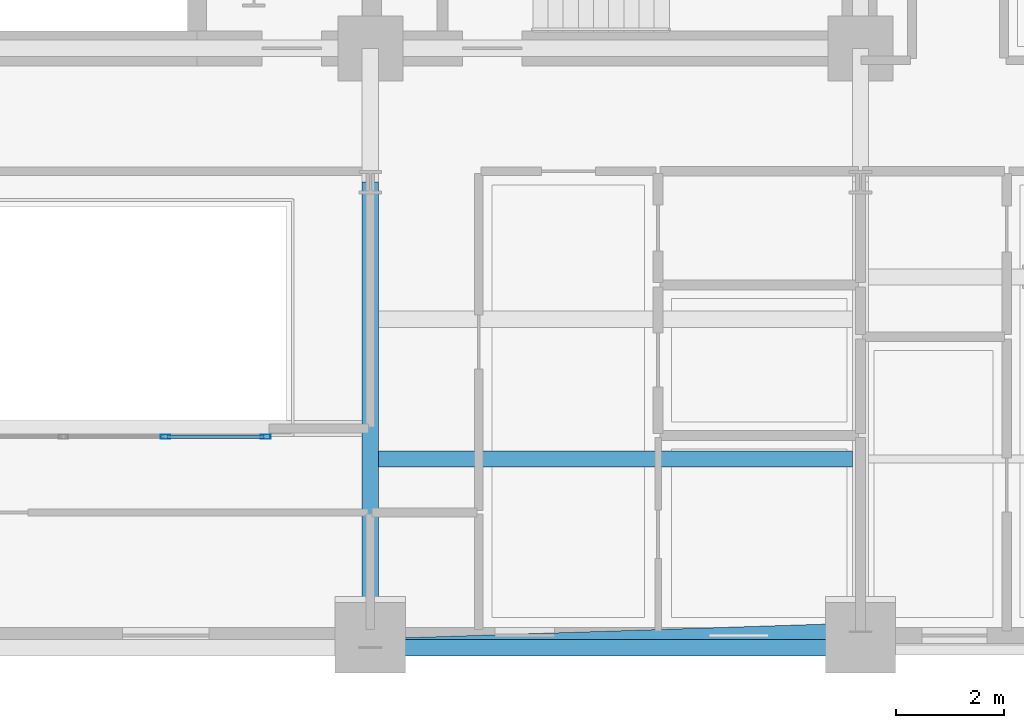
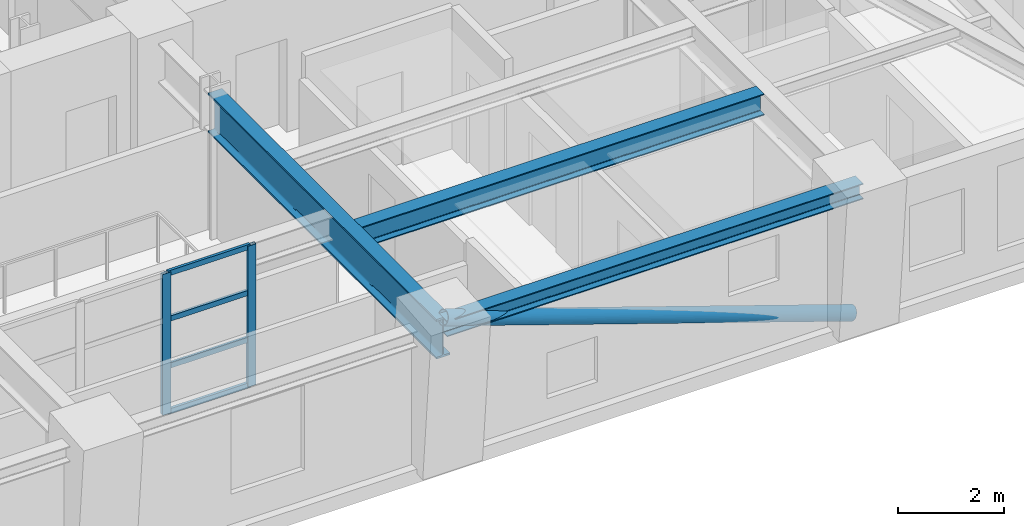
# One storey, part 5 of 16: 7 members, 3 beams, 1 element without a shape of its own.
"""IFC4 building model written with IfcOpenShell, lengths in metres."""

import ifcopenshell
import ifcopenshell.guid

model = None  # the IFC model being written
_history = None  # IfcOwnerHistory: only IFC2X3 demands one
_inside = {}  # id of a spatial element -> (the spatial element, [elements in it])
_under = {}  # id of a project, library or spatial element -> (it, [spatial elements below it])
_declared = {}  # id of a project -> (the project, [libraries it declares])
_typed = {}  # id of a type object -> (the type object, [elements of that type])
_made_of = {}  # id of a material, layer set ... -> (it, [elements and type objects made of it])


def new_model(schema):
    """Start an empty IFC model of exactly this schema.

    Asked for "IFC4X3", IfcOpenShell would pick the latest addendum, in which some entities
    have other attributes; the version numbers below select the first issue.
    IFC2X3 requires an IfcOwnerHistory on every rooted entity: one is made here for all.
    """
    global model, _history
    if schema == "IFC4X3":
        model = ifcopenshell.file(schema_version=(4, 3, 0, 0))
    else:
        model = ifcopenshell.file(schema=schema)
    _inside.clear()
    _under.clear()
    _declared.clear()
    _typed.clear()
    _made_of.clear()
    _history = None
    if model.schema == "IFC2X3":
        org = make("IfcOrganization", Name="unknown")
        user = make(
            "IfcPersonAndOrganization",
            ThePerson=make("IfcPerson", FamilyName="unknown"),
            TheOrganization=org,
        )
        app = make(
            "IfcApplication",
            ApplicationDeveloper=org,
            Version="unknown",
            ApplicationFullName="unknown",
            ApplicationIdentifier="unknown",
        )
        _history = make(
            "IfcOwnerHistory",
            OwningUser=user,
            OwningApplication=app,
            ChangeAction="ADDED",
            CreationDate=0,
        )
    return model


def make(cls, **values):
    """One entity of the class cls with the attributes given. An attribute that is None is left unset."""
    return model.create_entity(
        cls, **{name: value for name, value in values.items() if value is not None}
    )


def rooted(cls, **values):
    """An entity with a GlobalId (a new one), such as an element, a storey or a relation."""
    return make(cls, GlobalId=ifcopenshell.guid.new(), OwnerHistory=_history, **values)


def si_unit(unit_type, name, prefix=None):
    """IfcSIUnit, for example si_unit("LENGTHUNIT", "METRE", prefix="MILLI")."""
    return make("IfcSIUnit", UnitType=unit_type, Prefix=prefix, Name=name)


def assignment(units):
    """IfcUnitAssignment: the units of a project."""
    return None if units is None else make("IfcUnitAssignment", Units=units)


def point(xyz):
    """IfcCartesianPoint."""
    return None if xyz is None else make("IfcCartesianPoint", Coordinates=xyz)


def direction(xyz):
    """IfcDirection."""
    return None if xyz is None else make("IfcDirection", DirectionRatios=xyz)


def frame(location, z_axis=None, x_axis=None):
    """IfcAxis2Placement3D, a coordinate frame: its origin and axes. An axis left out is left unset."""
    return make(
        "IfcAxis2Placement3D",
        Location=point(location),
        Axis=direction(z_axis),
        RefDirection=direction(x_axis),
    )


def frame_2d(location, x_axis=None):
    """IfcAxis2Placement2D, a coordinate frame in the plane: its origin and x axis."""
    return make(
        "IfcAxis2Placement2D", Location=point(location), RefDirection=direction(x_axis)
    )


def origin():
    """The frame at (0, 0, 0) with its axes left unset."""
    return frame((0.0, 0.0, 0.0))


def origin_2d():
    """The frame at (0, 0) in the plane with its x axis left unset."""
    return frame_2d((0.0, 0.0))


def place(relative_to, where):
    """IfcLocalPlacement: puts the frame where relative to a parent placement (None: the world)."""
    return make(
        "IfcLocalPlacement", PlacementRelTo=relative_to, RelativePlacement=where
    )


def context(
    kind, dimensions, precision=None, world=None, true_north=None, identifier=None
):
    """IfcGeometricRepresentationContext, for example the 3D "Model" context."""
    return make(
        "IfcGeometricRepresentationContext",
        ContextIdentifier=identifier,
        ContextType=kind,
        CoordinateSpaceDimension=dimensions,
        Precision=precision,
        WorldCoordinateSystem=world,
        TrueNorth=true_north,
    )


def subcontext(parent, identifier, kind, view, scale=None):
    """IfcGeometricRepresentationSubContext, for example "Body" below "Model"."""
    return make(
        "IfcGeometricRepresentationSubContext",
        ContextIdentifier=identifier,
        ContextType=kind,
        ParentContext=parent,
        TargetScale=scale,
        TargetView=view,
    )


def project(units=None, contexts=None):
    """IfcProject with its units and contexts."""
    return rooted(
        "IfcProject",
        Name="project",
        RepresentationContexts=contexts,
        UnitsInContext=assignment(units),
    )


def spatial(cls, under=None, at=None, **own):
    """A site, building, storey or space (cls), placed at a placement, below another one or the project."""
    s = rooted(cls, ObjectPlacement=at, **own)
    if under is not None:
        _under.setdefault(under.id(), (under, []))[1].append(s)
    return s


def profile(cls, at=None, kind="AREA", **sizes):
    """A parametric profile (cls). Its sizes go by their IFC names, for example OverallWidth=200.0."""
    return make(cls, ProfileType=kind, Position=at, **sizes)


def hollow_rectangle(**sizes):
    """IfcRectangleHollowProfileDef."""
    return profile("IfcRectangleHollowProfileDef", **sizes)


def hollow_circle(**sizes):
    """IfcCircleHollowProfileDef."""
    return profile("IfcCircleHollowProfileDef", **sizes)


def i_section(**sizes):
    """IfcIShapeProfileDef."""
    return profile("IfcIShapeProfileDef", **sizes)


def extrude(swept, where, along, depth):
    """IfcExtrudedAreaSolid: the profile swept, set in the frame where, extruded along a direction by depth."""
    return make(
        "IfcExtrudedAreaSolid",
        SweptArea=swept,
        Position=where,
        ExtrudedDirection=direction(along),
        Depth=depth,
    )


def shape(context_of_items, identifier, shape_type, items):
    """IfcShapeRepresentation: the items that make up one representation, for example the "Body"."""
    return make(
        "IfcShapeRepresentation",
        ContextOfItems=context_of_items,
        RepresentationIdentifier=identifier,
        RepresentationType=shape_type,
        Items=items,
    )


def material(Name=None, Category=None):
    """IfcMaterial."""
    return make("IfcMaterial", Name=Name, Category=Category)


def layer(
    of_material, thickness, ventilated=None, Name=None, Category=None, Priority=None
):
    """IfcMaterialLayer: one layer of a wall or slab, of a material (None: an air gap)."""
    return make(
        "IfcMaterialLayer",
        Material=of_material,
        LayerThickness=thickness,
        IsVentilated=ventilated,
        Name=Name,
        Category=Category,
        Priority=Priority,
    )


def layer_set(layers, Name=None):
    """IfcMaterialLayerSet."""
    return make("IfcMaterialLayerSet", MaterialLayers=layers, LayerSetName=Name)


def material_profile(
    of_material, cross_section, Name=None, Category=None, Priority=None
):
    """IfcMaterialProfile: a cross section and its material."""
    return make(
        "IfcMaterialProfile",
        Name=Name,
        Material=of_material,
        Profile=cross_section,
        Priority=Priority,
        Category=Category,
    )


def profile_set(profiles, Name=None, composite=None):
    """IfcMaterialProfileSet."""
    return make(
        "IfcMaterialProfileSet",
        Name=Name,
        MaterialProfiles=profiles,
        CompositeProfile=composite,
    )


def made_of(thing, what):
    """Note that an element or type object is made of a material, layer set ...; save() writes the relation."""
    if what is not None:
        _made_of.setdefault(what.id(), (what, []))[1].append(thing)
    return thing


def type_object(cls, material=None, **own):
    """A type object (cls), such as IfcWallType, which elements share."""
    return made_of(rooted(cls, **own), material)


def element(
    cls,
    number,
    at=None,
    inside=None,
    cuts=None,
    type_object=None,
    material=None,
    context=None,
    identifier="Body",
    shape_type=None,
    held_by="IfcProductDefinitionShape",
    body=None,
    shapes=None,
    **own,
):
    """One element of the class cls, such as IfcWall. Its Tag is "e" and its number.

    at: its placement. inside: the storey or other place that contains it. cuts: it is an
    opening in that element (IfcRelVoidsElement). A single representation is given by context,
    identifier, shape_type and body (its items); several are given by shapes. held_by: the class
    of the entity that holds the representations. save() writes the other relations.
    """
    e = rooted(cls, Tag="e%d" % number, ObjectPlacement=at, **own)
    if body is not None:
        shapes = [shape(context, identifier, shape_type, body)]
    if shapes is not None:
        e.Representation = make(held_by, Representations=shapes)
    if inside is not None:
        _inside.setdefault(inside.id(), (inside, []))[1].append(e)
    if cuts is not None:
        rooted(
            "IfcRelVoidsElement", RelatingBuildingElement=cuts, RelatedOpeningElement=e
        )
    if type_object is not None:
        _typed.setdefault(type_object.id(), (type_object, []))[1].append(e)
    return made_of(e, material)


def aggregate(whole, parts):
    """IfcRelAggregates: a whole, such as a stair, and the parts it consists of."""
    return rooted("IfcRelAggregates", RelatingObject=whole, RelatedObjects=parts)


def save(model, path):
    """Write the relations noted so far, then the file.

    IfcRelAggregates (storeys below a building ...), IfcRelContainedInSpatialStructure (elements
    in a storey), IfcRelDefinesByType, IfcRelAssociatesMaterial and IfcRelDeclares: one each for
    every whole, place, type object, material and project.
    """
    for whole, parts in _under.values():
        aggregate(whole, parts)
    for where, things in _inside.values():
        rooted(
            "IfcRelContainedInSpatialStructure",
            RelatedElements=things,
            RelatingStructure=where,
        )
    for kind, things in _typed.values():
        rooted("IfcRelDefinesByType", RelatedObjects=things, RelatingType=kind)
    for what, things in _made_of.values():
        rooted("IfcRelAssociatesMaterial", RelatedObjects=things, RelatingMaterial=what)
    for by, libraries in _declared.values():
        rooted("IfcRelDeclares", RelatingContext=by, RelatedDefinitions=libraries)
    model.write(path)


model = new_model("IFC4")

# Units and contexts
model_context = context("Model", 3, precision=1e-05, world=origin(), true_north=direction((0.0, 1.0)))
body_context = subcontext(model_context, "Body", "Model", "MODEL_VIEW")
ifc_project = project(units=[si_unit("LENGTHUNIT", "METRE"), si_unit("AREAUNIT", "SQUARE_METRE"), si_unit("VOLUMEUNIT", "CUBIC_METRE"), si_unit("PLANEANGLEUNIT", "RADIAN"), si_unit("MASSUNIT", "GRAM", prefix="KILO")], contexts=[model_context])

# Site, building, storey
site_placement = place(None, origin())
site = spatial("IfcSite", under=ifc_project, at=site_placement, CompositionType="ELEMENT")
building_placement = place(site_placement, origin())
building = spatial("IfcBuilding", under=site, at=building_placement, Name="Zarnavel Station Tower", CompositionType="ELEMENT")
storey_placement = place(building_placement, frame((0.0, 0.0, 101.300048828125)))
storey = spatial("IfcBuildingStorey", under=building, at=storey_placement, Name="L27", CompositionType="ELEMENT", Elevation=101.300048828125)

# Curtain wall, members
ifc_material_1 = material(Name="Aluminium Dark Anodised and Solar-Control Glass", Category="aluminium")
ifc_layer = layer(ifc_material_1, 0.179931640625)
ifc_layer_set = layer_set([ifc_layer], Name="CWS3")
curtain_wall_type = type_object("IfcCurtainWallType", Name="CWS3", PredefinedType="NOTDEFINED", material=ifc_layer_set)
curtain_wall_placement = place(storey_placement, origin())
curtain_wall = element("IfcCurtainWall", 1, at=curtain_wall_placement, inside=storey, type_object=curtain_wall_type, Name="L27 Curtain Wall CWS3-L27-AS", PredefinedType="NOTDEFINED")
ifc_material_2 = material(Name="Steel S355J2 (Black Fluoropolymer Coated)", Category="steel")
ifc_material_profile_1 = material_profile(ifc_material_2, hollow_rectangle(XDim=0.080078125, YDim=0.179931640625, WallThickness=0.00634765625, at=origin_2d()), Name="RHS180x80x6.3")
ifc_profile_set_1 = profile_set([ifc_material_profile_1], Name="Steel S355J2 (Black Fluoropolymer Coated)")
member_type_1 = type_object("IfcMemberType", Name="CWS3_MUL", PredefinedType="MULLION", material=ifc_profile_set_1)
member_1_placement = place(storey_placement, frame((32.566650390625, 20.64990234375, 0.0), z_axis=(0.0, 0.0, 1.0), x_axis=(0.0, 1.0, 0.0)))
member_1 = element("IfcMember", 2, at=member_1_placement, type_object=member_type_1, Name="CW3 mullion 6", PredefinedType="MULLION", context=body_context, shape_type="SweptSolid", body=[
    extrude(hollow_rectangle(XDim=0.080078125, YDim=0.179931640625, WallThickness=0.00634765625, at=origin_2d()), origin(), (0.0, 0.0, 1.0), 3.239990234375),
])
member_2_placement = place(storey_placement, frame((34.419921875, 20.64990234375, 0.0), z_axis=(0.0, 0.0, 1.0), x_axis=(0.0, 1.0, 0.0)))
member_2 = element("IfcMember", 3, at=member_2_placement, type_object=member_type_1, Name="CW3 mullion 7", PredefinedType="MULLION", context=body_context, shape_type="SweptSolid", body=[
    extrude(hollow_rectangle(XDim=0.080078125, YDim=0.179931640625, WallThickness=0.00634765625, at=origin_2d()), origin(), (0.0, 0.0, 1.0), 3.239990234375),
])
ifc_material_3 = material(Name="Steel S355J2 (Black Fluoropolymer Coated)", Category="steel")
ifc_material_profile_2 = material_profile(ifc_material_3, hollow_rectangle(XDim=0.06005859375, YDim=0.1201171875, WallThickness=0.0048828125, at=origin_2d()), Name="RHS120x60x5")
ifc_profile_set_2 = profile_set([ifc_material_profile_2], Name="Steel S355J2 (Black Fluoropolymer Coated)")
member_type_2 = type_object("IfcMemberType", Name="CWS3_TRN", PredefinedType="USERDEFINED", material=ifc_profile_set_2)
member_3_placement = place(storey_placement, frame((32.5966796875, 20.64990234375, 0.030029296875), z_axis=(1.0, 0.0, 0.0), x_axis=(0.0, 1.0, 0.0)))
member_3 = element("IfcMember", 4, at=member_3_placement, type_object=member_type_2, Name="CW3 transom 6.1", ObjectType="TRANSOM", PredefinedType="USERDEFINED", context=body_context, shape_type="SweptSolid", body=[
    extrude(hollow_rectangle(XDim=0.06005859375, YDim=0.1201171875, WallThickness=0.0048828125, at=origin_2d()), origin(), (0.0, 0.0, 1.0), 1.793212890625),
])
member_4_placement = place(storey_placement, frame((32.5966796875, 20.64990234375, 1.079833984375), z_axis=(1.0, 0.0, 0.0), x_axis=(0.0, 1.0, 0.0)))
member_4 = element("IfcMember", 5, at=member_4_placement, type_object=member_type_2, Name="CW3 transom 6.2", ObjectType="TRANSOM", PredefinedType="USERDEFINED", context=body_context, shape_type="SweptSolid", body=[
    extrude(hollow_rectangle(XDim=0.06005859375, YDim=0.1201171875, WallThickness=0.0048828125, at=origin_2d()), origin(), (0.0, 0.0, 1.0), 1.793212890625),
])
member_5_placement = place(storey_placement, frame((32.5966796875, 20.64990234375, 2.159912109375), z_axis=(1.0, 0.0, 0.0), x_axis=(0.0, 1.0, 0.0)))
member_5 = element("IfcMember", 6, at=member_5_placement, type_object=member_type_2, Name="CW3 transom 6.3", ObjectType="TRANSOM", PredefinedType="USERDEFINED", context=body_context, shape_type="SweptSolid", body=[
    extrude(hollow_rectangle(XDim=0.06005859375, YDim=0.1201171875, WallThickness=0.0048828125, at=origin_2d()), origin(), (0.0, 0.0, 1.0), 1.793212890625),
])
member_6_placement = place(storey_placement, frame((32.5966796875, 20.64990234375, 3.2099609375), z_axis=(1.0, 0.0, 0.0), x_axis=(0.0, 1.0, 0.0)))
member_6 = element("IfcMember", 7, at=member_6_placement, type_object=member_type_2, Name="CW3 transom 6.4", ObjectType="TRANSOM", PredefinedType="USERDEFINED", context=body_context, shape_type="SweptSolid", body=[
    extrude(hollow_rectangle(XDim=0.06005859375, YDim=0.1201171875, WallThickness=0.0048828125, at=origin_2d()), origin(), (0.0, 0.0, 1.0), 1.793212890625),
])
aggregate(curtain_wall, [member_1, member_2, member_3, member_4, member_5, member_6])

# Member
ifc_material_4 = material(Name="Steel S355J2", Category="steel")
ifc_material_profile_3 = material_profile(ifc_material_4, hollow_circle(Radius=0.161865234375, WallThickness=0.012451171875, at=origin_2d()), Name="CHS323.9x12.5")
ifc_profile_set_3 = profile_set([ifc_material_profile_3], Name="Steel S355J2")
member_type_3 = type_object("IfcMemberType", Name="DB_EXT_CHS324", PredefinedType="BRACE", material=ifc_profile_set_3)
member_7_placement = place(storey_placement, frame((45.39990234375, 17.048095703125, 0.0), z_axis=(-0.941042303893, -0.030515076327, 0.336909798612), x_axis=(0.032409856061, -0.999474662625, 0.0)))
element("IfcMember", 8, at=member_7_placement, inside=storey, type_object=member_type_3, Name="L27 Persian Exterior Diagonal Frame Brace 2", PredefinedType="BRACE", context=body_context, shape_type="SweptSolid", body=[
    extrude(hollow_circle(Radius=0.161865234375, WallThickness=0.012451171875, at=origin_2d()), origin(), (0.0, 0.0, 1.0), 9.61669921875),
])

# Beams
ifc_material_5 = material(Name="Steel S355J2", Category="steel")
ifc_material_profile_4 = material_profile(ifc_material_5, i_section(OverallWidth=0.300048828125, OverallDepth=0.360107421875, WebThickness=0.012451171875, FlangeThickness=0.0224609375, FilletRadius=0.027099609375, at=origin_2d()), Name="HEB360")
ifc_profile_set_4 = profile_set([ifc_material_profile_4], Name="Steel S355J2")
beam_type_1 = type_object("IfcBeamType", Name="EB_HEB360", PredefinedType="SPANDREL", material=ifc_profile_set_4)
beam_1_placement = place(storey_placement, frame((36.35009765625, 16.754638671875, 3.06005859375), z_axis=(1.0, 0.0, 0.0), x_axis=(0.0, 1.0, 0.0)))
element("IfcBeam", 9, at=beam_1_placement, inside=storey, type_object=beam_type_1, Name="L27 South Raked Spandrel 4", PredefinedType="SPANDREL", context=body_context, shape_type="SweptSolid", body=[
    extrude(i_section(OverallWidth=0.300048828125, OverallDepth=0.360107421875, WebThickness=0.012451171875, FlangeThickness=0.0224609375, FilletRadius=0.027099609375, at=origin_2d()), origin(), (0.0, 0.0, 1.0), 9.0498046875),
])
ifc_material_6 = material(Name="Steel S355J2", Category="steel")
ifc_material_profile_5 = material_profile(ifc_material_6, i_section(OverallWidth=0.300048828125, OverallDepth=0.489990234375, WebThickness=0.011962890625, FlangeThickness=0.02294921875, FilletRadius=0.027099609375, at=origin_2d()), Name="HEA500")
ifc_profile_set_5 = profile_set([ifc_material_profile_5], Name="Steel S355J2")
beam_type_2 = type_object("IfcBeamType", Name="FB_HEA500", PredefinedType="BEAM", material=ifc_profile_set_5)
beam_2_placement = place(storey_placement, frame((36.4951171875, 20.236328125, 2.994873046875), z_axis=(1.0, 0.0, 0.0), x_axis=(0.0, 1.0, 0.0)))
element("IfcBeam", 10, at=beam_2_placement, inside=storey, type_object=beam_type_2, Name="L27 East Bay Beam 1", PredefinedType="BEAM", context=body_context, shape_type="SweptSolid", body=[
    extrude(i_section(OverallWidth=0.300048828125, OverallDepth=0.489990234375, WebThickness=0.011962890625, FlangeThickness=0.02294921875, FilletRadius=0.027099609375, at=origin_2d()), origin(), (0.0, 0.0, 1.0), 8.759765625),
])
ifc_material_7 = material(Name="Steel S460M", Category="steel")
ifc_material_profile_6 = material_profile(ifc_material_7, i_section(OverallWidth=0.302001953125, OverallDepth=0.909912109375, WebThickness=0.02099609375, FlangeThickness=0.0400390625, FilletRadius=0.030029296875, at=origin_2d()), Name="HEM900")
ifc_profile_set_6 = profile_set([ifc_material_profile_6], Name="Steel S460M")
beam_type_3 = type_object("IfcBeamType", Name="TG_HEM900", PredefinedType="USERDEFINED", material=ifc_profile_set_6)
beam_3_placement = place(storey_placement, frame((36.35009765625, 16.754638671875, 2.784912109375), z_axis=(0.0, 1.0, 0.0), x_axis=(-1.0, 0.0, 0.0)))
element("IfcBeam", 11, at=beam_3_placement, inside=storey, type_object=beam_type_3, Name="L27 South-Zone NS Girder 4", ObjectType="GIRDER", PredefinedType="USERDEFINED", context=body_context, shape_type="SweptSolid", body=[
    extrude(i_section(OverallWidth=0.302001953125, OverallDepth=0.909912109375, WebThickness=0.02099609375, FlangeThickness=0.0400390625, FilletRadius=0.030029296875, at=origin_2d()), origin(), (0.0, 0.0, 1.0), 8.595458984375),
])

save(model, "model.ifc")
